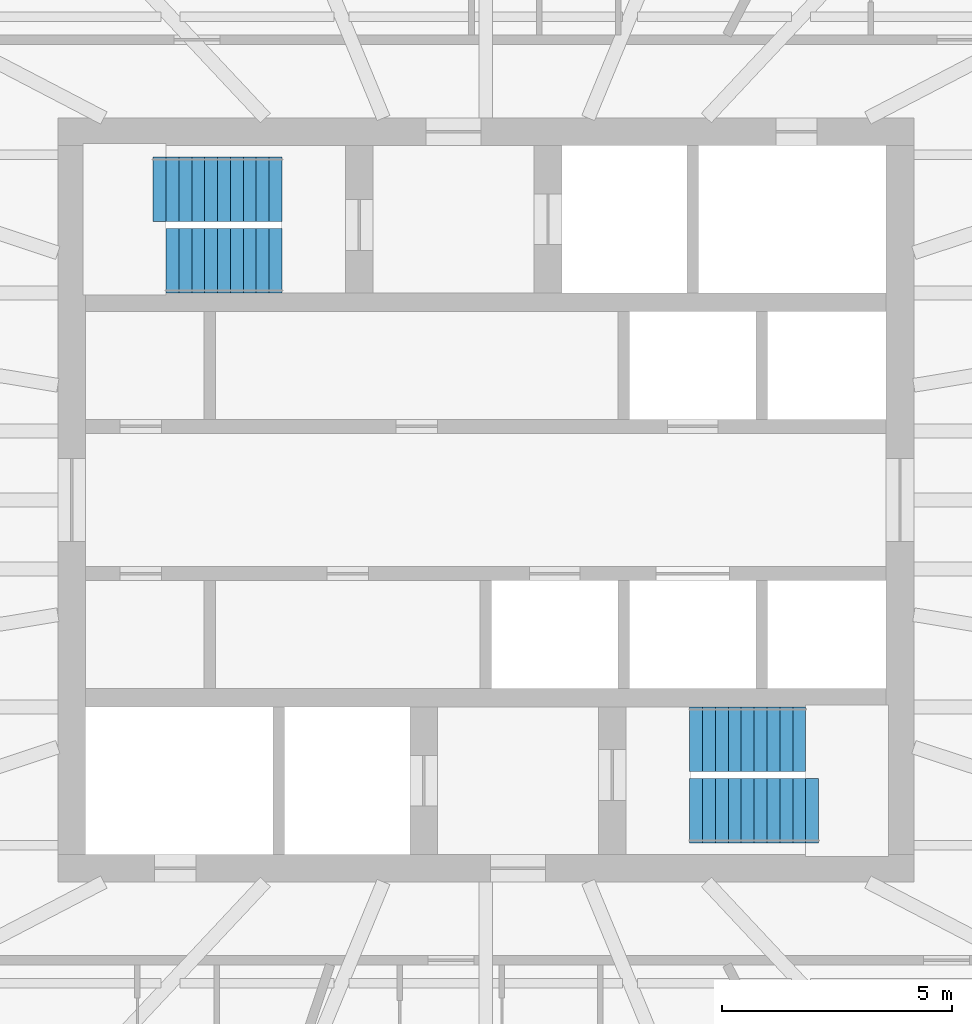
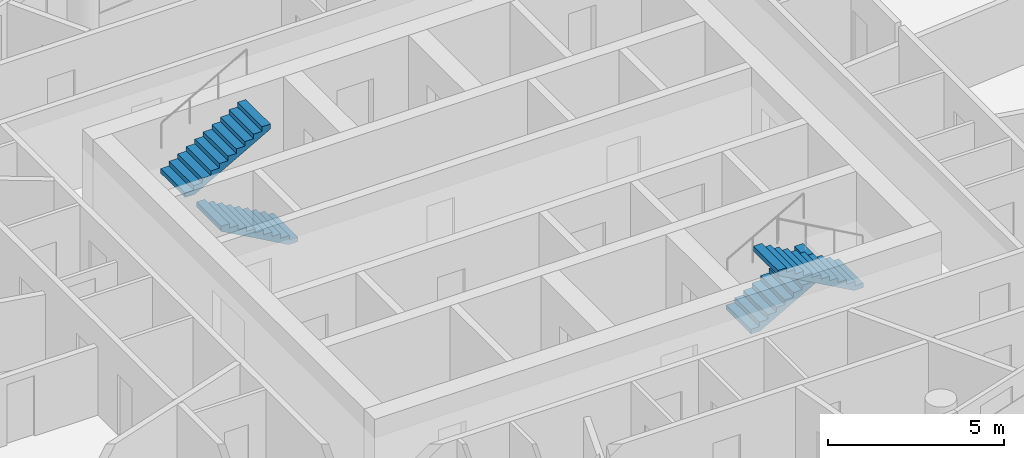
# One storey, part 10 of 11: 4 stair flights, 2 elements without a shape of their own.
"""IFC4 building model written with IfcOpenShell, lengths in metres."""

from ifc_helpers import new_model, si_unit, direction, frame, origin, place, context, subcontext, project, spatial, polyline, outline, extrude, material, type_object, element, aggregate, save


model = new_model("IFC4")

# Units and contexts
model_context = context("Model", 3, precision=1e-05, world=origin(), true_north=direction((0.0, 1.0)))
body_context = subcontext(model_context, "Body", "Model", "MODEL_VIEW")
ifc_project = project(units=[si_unit("LENGTHUNIT", "METRE"), si_unit("AREAUNIT", "SQUARE_METRE"), si_unit("VOLUMEUNIT", "CUBIC_METRE"), si_unit("PLANEANGLEUNIT", "RADIAN"), si_unit("MASSUNIT", "GRAM", prefix="KILO")], contexts=[model_context])

# Site, building, storey
site_placement = place(None, origin())
site = spatial("IfcSite", under=ifc_project, at=site_placement, CompositionType="ELEMENT")
building_placement = place(site_placement, origin())
building = spatial("IfcBuilding", under=site, at=building_placement, Name="Hankou Lantern Tower", CompositionType="ELEMENT")
storey_placement = place(building_placement, frame((0.0, 0.0, 206.10009765625)))
storey = spatial("IfcBuildingStorey", under=building, at=storey_placement, Name="L55", CompositionType="ELEMENT", Elevation=206.10009765625)

# Stair, stair flight
ifc_material_1 = material(Name="Concrete C40", Category="concrete")
stair_type = type_object("IfcStairType", Name="ST33 CORE STAIR 3300 RISE", PredefinedType="HALF_TURN_STAIR", material=ifc_material_1)
stair_1_placement = place(storey_placement, origin())
stair_1 = element("IfcStair", 1, at=stair_1_placement, inside=storey, type_object=stair_type, Name="Stair STA L55", PredefinedType="HALF_TURN_STAIR")
ifc_material_2 = material(Name="Concrete C40", Category="concrete")
stair_flight_type_1 = type_object("IfcStairFlightType", Name="CF10 CORE STAIR FLIGHT 1400 X 10 RISERS", PredefinedType="STRAIGHT", material=ifc_material_2)
stair_flight_1_placement = place(storey_placement, frame((-4.429931640625, 5.199951171875, 0.0), z_axis=(0.0, 0.0, 1.0), x_axis=(-1.0, 0.0, 0.0)))
stair_flight_1 = element("IfcStairFlight", 2, at=stair_flight_1_placement, type_object=stair_flight_type_1, Name="STA flight 1", NumberOfRisers=10, NumberOfTreads=9, PredefinedType="STRAIGHT", RiserHeight=0.157142857, TreadLength=0.28, context=body_context, shape_type="SweptSolid", body=[
    extrude(outline(polyline([(0.0, 0.0), (0.0, 0.1572265625), (0.280029296875, 0.1572265625), (0.280029296875, 0.314208984375), (0.56005859375, 0.314208984375), (0.56005859375, 0.471435546875), (0.840087890625, 0.471435546875), (0.840087890625, 0.628662109375), (1.1201171875, 0.628662109375), (1.1201171875, 0.78564453125), (1.39990234375, 0.78564453125), (1.39990234375, 0.94287109375), (1.679931640625, 0.94287109375), (1.679931640625, 1.10009765625), (1.9599609375, 1.10009765625), (1.9599609375, 1.257080078125), (2.239990234375, 1.257080078125), (2.239990234375, 1.414306640625), (2.52001953125, 1.414306640625), (2.52001953125, 1.571533203125), (2.52001953125, 1.242431640625), (0.306396484375, 0.0), (0.0, 0.0)])), frame((0.0, 0.699951171875, 0.0), z_axis=(0.0, -1.0, 0.0), x_axis=(1.0, 0.0, 0.0)), (0.0, 0.0, 1.0), 1.39990234375),
])

stair_2_placement = place(storey_placement, origin())
stair_2 = element("IfcStair", 3, at=stair_2_placement, inside=storey, type_object=stair_type, Name="Stair STB L55", PredefinedType="HALF_TURN_STAIR")
stair_flight_2_placement = place(storey_placement, frame((4.429931640625, -5.199951171875, 0.0), z_axis=(0.0, 0.0, 1.0), x_axis=(1.0, 0.0, 0.0)))
stair_flight_2 = element("IfcStairFlight", 4, at=stair_flight_2_placement, type_object=stair_flight_type_1, Name="STB flight 1", NumberOfRisers=10, NumberOfTreads=9, PredefinedType="STRAIGHT", RiserHeight=0.157142857, TreadLength=0.28, context=body_context, shape_type="SweptSolid", body=[
    extrude(outline(polyline([(0.0, 0.0), (0.0, 0.1572265625), (0.280029296875, 0.1572265625), (0.280029296875, 0.314208984375), (0.56005859375, 0.314208984375), (0.56005859375, 0.471435546875), (0.840087890625, 0.471435546875), (0.840087890625, 0.628662109375), (1.1201171875, 0.628662109375), (1.1201171875, 0.78564453125), (1.39990234375, 0.78564453125), (1.39990234375, 0.94287109375), (1.679931640625, 0.94287109375), (1.679931640625, 1.10009765625), (1.9599609375, 1.10009765625), (1.9599609375, 1.257080078125), (2.239990234375, 1.257080078125), (2.239990234375, 1.414306640625), (2.52001953125, 1.414306640625), (2.52001953125, 1.571533203125), (2.52001953125, 1.242431640625), (0.306396484375, 0.0), (0.0, 0.0)])), frame((0.0, 0.699951171875, 0.0), z_axis=(0.0, -1.0, 0.0), x_axis=(1.0, 0.0, 0.0)), (0.0, 0.0, 1.0), 1.39990234375),
])

# Stair flight
ifc_material_3 = material(Name="Concrete C40", Category="concrete")
stair_flight_type_2 = type_object("IfcStairFlightType", Name="CF11 CORE STAIR FLIGHT 1400 X 11 RISERS", PredefinedType="STRAIGHT", material=ifc_material_3)
stair_flight_3_placement = place(storey_placement, frame((-7.22998046875, 6.75, 1.5712890625), z_axis=(0.0, 0.0, 1.0), x_axis=(1.0, 0.0, 0.0)))
stair_flight_3 = element("IfcStairFlight", 5, at=stair_flight_3_placement, type_object=stair_flight_type_2, Name="STA flight 2", NumberOfRisers=11, NumberOfTreads=10, PredefinedType="STRAIGHT", RiserHeight=0.157142857, TreadLength=0.28, context=body_context, shape_type="SweptSolid", body=[
    extrude(outline(polyline([(0.0, 0.0), (0.0, 0.1572265625), (0.280029296875, 0.1572265625), (0.280029296875, 0.314208984375), (0.56005859375, 0.314208984375), (0.56005859375, 0.471435546875), (0.840087890625, 0.471435546875), (0.840087890625, 0.628662109375), (1.1201171875, 0.628662109375), (1.1201171875, 0.78564453125), (1.39990234375, 0.78564453125), (1.39990234375, 0.94287109375), (1.679931640625, 0.94287109375), (1.679931640625, 1.10009765625), (1.9599609375, 1.10009765625), (1.9599609375, 1.257080078125), (2.239990234375, 1.257080078125), (2.239990234375, 1.414306640625), (2.52001953125, 1.414306640625), (2.52001953125, 1.571533203125), (2.800048828125, 1.571533203125), (2.800048828125, 1.728515625), (2.800048828125, 1.3994140625), (0.306396484375, 0.0), (0.0, 0.0)])), frame((0.0, 0.699951171875, 0.0), z_axis=(0.0, -1.0, 0.0), x_axis=(1.0, 0.0, 0.0)), (0.0, 0.0, 1.0), 1.39990234375),
])

aggregate(stair_1, [stair_flight_1, stair_flight_3])

stair_flight_4_placement = place(storey_placement, frame((7.22998046875, -6.75, 1.5712890625), z_axis=(0.0, 0.0, 1.0), x_axis=(-1.0, 0.0, 0.0)))
stair_flight_4 = element("IfcStairFlight", 6, at=stair_flight_4_placement, type_object=stair_flight_type_2, Name="STB flight 2", NumberOfRisers=11, NumberOfTreads=10, PredefinedType="STRAIGHT", RiserHeight=0.157142857, TreadLength=0.28, context=body_context, shape_type="SweptSolid", body=[
    extrude(outline(polyline([(0.0, 0.0), (0.0, 0.1572265625), (0.280029296875, 0.1572265625), (0.280029296875, 0.314208984375), (0.56005859375, 0.314208984375), (0.56005859375, 0.471435546875), (0.840087890625, 0.471435546875), (0.840087890625, 0.628662109375), (1.1201171875, 0.628662109375), (1.1201171875, 0.78564453125), (1.39990234375, 0.78564453125), (1.39990234375, 0.94287109375), (1.679931640625, 0.94287109375), (1.679931640625, 1.10009765625), (1.9599609375, 1.10009765625), (1.9599609375, 1.257080078125), (2.239990234375, 1.257080078125), (2.239990234375, 1.414306640625), (2.52001953125, 1.414306640625), (2.52001953125, 1.571533203125), (2.800048828125, 1.571533203125), (2.800048828125, 1.728515625), (2.800048828125, 1.3994140625), (0.306396484375, 0.0), (0.0, 0.0)])), frame((0.0, 0.699951171875, 0.0), z_axis=(0.0, -1.0, 0.0), x_axis=(1.0, 0.0, 0.0)), (0.0, 0.0, 1.0), 1.39990234375),
])

aggregate(stair_2, [stair_flight_2, stair_flight_4])

save(model, "model.ifc")
